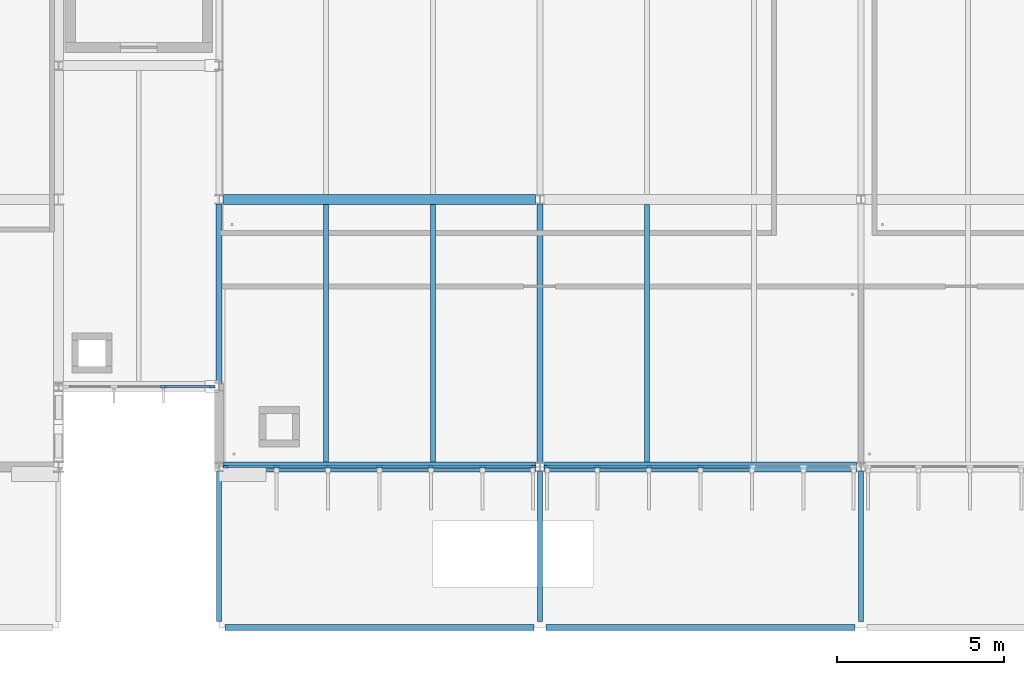
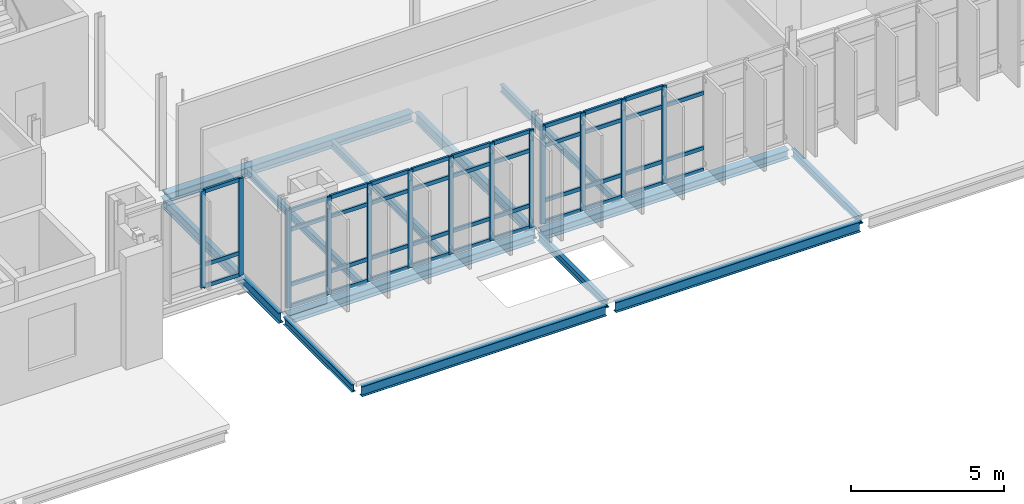
# One storey, part 39 of 107: 55 members, 13 beams, 3 elements without a shape of their own.
"""IFC4 building model written with IfcOpenShell, lengths in metres."""

import ifcopenshell
import ifcopenshell.guid

model = None  # the IFC model being written
_history = None  # IfcOwnerHistory: only IFC2X3 demands one
_inside = {}  # id of a spatial element -> (the spatial element, [elements in it])
_under = {}  # id of a project, library or spatial element -> (it, [spatial elements below it])
_declared = {}  # id of a project -> (the project, [libraries it declares])
_typed = {}  # id of a type object -> (the type object, [elements of that type])
_made_of = {}  # id of a material, layer set ... -> (it, [elements and type objects made of it])


def new_model(schema):
    """Start an empty IFC model of exactly this schema.

    Asked for "IFC4X3", IfcOpenShell would pick the latest addendum, in which some entities
    have other attributes; the version numbers below select the first issue.
    IFC2X3 requires an IfcOwnerHistory on every rooted entity: one is made here for all.
    """
    global model, _history
    if schema == "IFC4X3":
        model = ifcopenshell.file(schema_version=(4, 3, 0, 0))
    else:
        model = ifcopenshell.file(schema=schema)
    _inside.clear()
    _under.clear()
    _declared.clear()
    _typed.clear()
    _made_of.clear()
    _history = None
    if model.schema == "IFC2X3":
        org = make("IfcOrganization", Name="unknown")
        user = make(
            "IfcPersonAndOrganization",
            ThePerson=make("IfcPerson", FamilyName="unknown"),
            TheOrganization=org,
        )
        app = make(
            "IfcApplication",
            ApplicationDeveloper=org,
            Version="unknown",
            ApplicationFullName="unknown",
            ApplicationIdentifier="unknown",
        )
        _history = make(
            "IfcOwnerHistory",
            OwningUser=user,
            OwningApplication=app,
            ChangeAction="ADDED",
            CreationDate=0,
        )
    return model


def make(cls, **values):
    """One entity of the class cls with the attributes given. An attribute that is None is left unset."""
    return model.create_entity(
        cls, **{name: value for name, value in values.items() if value is not None}
    )


def rooted(cls, **values):
    """An entity with a GlobalId (a new one), such as an element, a storey or a relation."""
    return make(cls, GlobalId=ifcopenshell.guid.new(), OwnerHistory=_history, **values)


def si_unit(unit_type, name, prefix=None):
    """IfcSIUnit, for example si_unit("LENGTHUNIT", "METRE", prefix="MILLI")."""
    return make("IfcSIUnit", UnitType=unit_type, Prefix=prefix, Name=name)


def assignment(units):
    """IfcUnitAssignment: the units of a project."""
    return None if units is None else make("IfcUnitAssignment", Units=units)


def point(xyz):
    """IfcCartesianPoint."""
    return None if xyz is None else make("IfcCartesianPoint", Coordinates=xyz)


def direction(xyz):
    """IfcDirection."""
    return None if xyz is None else make("IfcDirection", DirectionRatios=xyz)


def frame(location, z_axis=None, x_axis=None):
    """IfcAxis2Placement3D, a coordinate frame: its origin and axes. An axis left out is left unset."""
    return make(
        "IfcAxis2Placement3D",
        Location=point(location),
        Axis=direction(z_axis),
        RefDirection=direction(x_axis),
    )


def frame_2d(location, x_axis=None):
    """IfcAxis2Placement2D, a coordinate frame in the plane: its origin and x axis."""
    return make(
        "IfcAxis2Placement2D", Location=point(location), RefDirection=direction(x_axis)
    )


def origin():
    """The frame at (0, 0, 0) with its axes left unset."""
    return frame((0.0, 0.0, 0.0))


def origin_2d():
    """The frame at (0, 0) in the plane with its x axis left unset."""
    return frame_2d((0.0, 0.0))


def place(relative_to, where):
    """IfcLocalPlacement: puts the frame where relative to a parent placement (None: the world)."""
    return make(
        "IfcLocalPlacement", PlacementRelTo=relative_to, RelativePlacement=where
    )


def context(
    kind, dimensions, precision=None, world=None, true_north=None, identifier=None
):
    """IfcGeometricRepresentationContext, for example the 3D "Model" context."""
    return make(
        "IfcGeometricRepresentationContext",
        ContextIdentifier=identifier,
        ContextType=kind,
        CoordinateSpaceDimension=dimensions,
        Precision=precision,
        WorldCoordinateSystem=world,
        TrueNorth=true_north,
    )


def subcontext(parent, identifier, kind, view, scale=None):
    """IfcGeometricRepresentationSubContext, for example "Body" below "Model"."""
    return make(
        "IfcGeometricRepresentationSubContext",
        ContextIdentifier=identifier,
        ContextType=kind,
        ParentContext=parent,
        TargetScale=scale,
        TargetView=view,
    )


def project(units=None, contexts=None):
    """IfcProject with its units and contexts."""
    return rooted(
        "IfcProject",
        Name="project",
        RepresentationContexts=contexts,
        UnitsInContext=assignment(units),
    )


def spatial(cls, under=None, at=None, **own):
    """A site, building, storey or space (cls), placed at a placement, below another one or the project."""
    s = rooted(cls, ObjectPlacement=at, **own)
    if under is not None:
        _under.setdefault(under.id(), (under, []))[1].append(s)
    return s


def profile(cls, at=None, kind="AREA", **sizes):
    """A parametric profile (cls). Its sizes go by their IFC names, for example OverallWidth=200.0."""
    return make(cls, ProfileType=kind, Position=at, **sizes)


def rectangle(**sizes):
    """IfcRectangleProfileDef."""
    return profile("IfcRectangleProfileDef", **sizes)


def i_section(**sizes):
    """IfcIShapeProfileDef."""
    return profile("IfcIShapeProfileDef", **sizes)


def extrude(swept, where, along, depth):
    """IfcExtrudedAreaSolid: the profile swept, set in the frame where, extruded along a direction by depth."""
    return make(
        "IfcExtrudedAreaSolid",
        SweptArea=swept,
        Position=where,
        ExtrudedDirection=direction(along),
        Depth=depth,
    )


def shape(context_of_items, identifier, shape_type, items):
    """IfcShapeRepresentation: the items that make up one representation, for example the "Body"."""
    return make(
        "IfcShapeRepresentation",
        ContextOfItems=context_of_items,
        RepresentationIdentifier=identifier,
        RepresentationType=shape_type,
        Items=items,
    )


def material(Name=None, Category=None):
    """IfcMaterial."""
    return make("IfcMaterial", Name=Name, Category=Category)


def material_profile(
    of_material, cross_section, Name=None, Category=None, Priority=None
):
    """IfcMaterialProfile: a cross section and its material."""
    return make(
        "IfcMaterialProfile",
        Name=Name,
        Material=of_material,
        Profile=cross_section,
        Priority=Priority,
        Category=Category,
    )


def profile_set(profiles, Name=None, composite=None):
    """IfcMaterialProfileSet."""
    return make(
        "IfcMaterialProfileSet",
        Name=Name,
        MaterialProfiles=profiles,
        CompositeProfile=composite,
    )


def made_of(thing, what):
    """Note that an element or type object is made of a material, layer set ...; save() writes the relation."""
    if what is not None:
        _made_of.setdefault(what.id(), (what, []))[1].append(thing)
    return thing


def type_object(cls, material=None, **own):
    """A type object (cls), such as IfcWallType, which elements share."""
    return made_of(rooted(cls, **own), material)


def element(
    cls,
    number,
    at=None,
    inside=None,
    cuts=None,
    type_object=None,
    material=None,
    context=None,
    identifier="Body",
    shape_type=None,
    held_by="IfcProductDefinitionShape",
    body=None,
    shapes=None,
    **own,
):
    """One element of the class cls, such as IfcWall. Its Tag is "e" and its number.

    at: its placement. inside: the storey or other place that contains it. cuts: it is an
    opening in that element (IfcRelVoidsElement). A single representation is given by context,
    identifier, shape_type and body (its items); several are given by shapes. held_by: the class
    of the entity that holds the representations. save() writes the other relations.
    """
    e = rooted(cls, Tag="e%d" % number, ObjectPlacement=at, **own)
    if body is not None:
        shapes = [shape(context, identifier, shape_type, body)]
    if shapes is not None:
        e.Representation = make(held_by, Representations=shapes)
    if inside is not None:
        _inside.setdefault(inside.id(), (inside, []))[1].append(e)
    if cuts is not None:
        rooted(
            "IfcRelVoidsElement", RelatingBuildingElement=cuts, RelatedOpeningElement=e
        )
    if type_object is not None:
        _typed.setdefault(type_object.id(), (type_object, []))[1].append(e)
    return made_of(e, material)


def aggregate(whole, parts):
    """IfcRelAggregates: a whole, such as a stair, and the parts it consists of."""
    return rooted("IfcRelAggregates", RelatingObject=whole, RelatedObjects=parts)


def save(model, path):
    """Write the relations noted so far, then the file.

    IfcRelAggregates (storeys below a building ...), IfcRelContainedInSpatialStructure (elements
    in a storey), IfcRelDefinesByType, IfcRelAssociatesMaterial and IfcRelDeclares: one each for
    every whole, place, type object, material and project.
    """
    for whole, parts in _under.values():
        aggregate(whole, parts)
    for where, things in _inside.values():
        rooted(
            "IfcRelContainedInSpatialStructure",
            RelatedElements=things,
            RelatingStructure=where,
        )
    for kind, things in _typed.values():
        rooted("IfcRelDefinesByType", RelatedObjects=things, RelatingType=kind)
    for what, things in _made_of.values():
        rooted("IfcRelAssociatesMaterial", RelatedObjects=things, RelatingMaterial=what)
    for by, libraries in _declared.values():
        rooted("IfcRelDeclares", RelatingContext=by, RelatedDefinitions=libraries)
    model.write(path)


model = new_model("IFC4")

# Units and contexts
model_context = context("Model", 3, precision=1e-05, world=origin(), true_north=direction((0.0, 1.0)))
body_context = subcontext(model_context, "Body", "Model", "MODEL_VIEW")
ifc_project = project(units=[si_unit("LENGTHUNIT", "METRE"), si_unit("AREAUNIT", "SQUARE_METRE"), si_unit("VOLUMEUNIT", "CUBIC_METRE"), si_unit("PLANEANGLEUNIT", "RADIAN"), si_unit("MASSUNIT", "GRAM", prefix="KILO")], contexts=[model_context])

# Site, building, storey
site_placement = place(None, origin())
site = spatial("IfcSite", under=ifc_project, at=site_placement, CompositionType="ELEMENT")
building_placement = place(site_placement, origin())
building = spatial("IfcBuilding", under=site, at=building_placement, Name="Dunescarp Central Library", CompositionType="ELEMENT")
storey_placement = place(building_placement, frame((0.0, 0.0, 5.10009765625)))
storey = spatial("IfcBuildingStorey", under=building, at=storey_placement, Name="L01", CompositionType="ELEMENT", Elevation=5.10009765625)

# Curtain wall, members
ifc_material_1 = material(Name="Marine-grade anodised aluminium 6063-T6", Category="aluminium")
curtain_wall_type_1 = type_object("IfcCurtainWallType", Name="ARC-CW-STICK", PredefinedType="NOTDEFINED", material=ifc_material_1)
curtain_wall_1_placement = place(storey_placement, origin())
curtain_wall_1 = element("IfcCurtainWall", 1, at=curtain_wall_1_placement, inside=storey, type_object=curtain_wall_type_1, Name="L01 curtain wall CW-V5-153", PredefinedType="NOTDEFINED")
ifc_material_profile_1 = material_profile(ifc_material_1, rectangle(XDim=0.080078125, YDim=0.179931640625, at=origin_2d()), Name="AL 80x180")
ifc_profile_set_1 = profile_set([ifc_material_profile_1], Name="Marine-grade anodised aluminium 6063-T6")
member_type_1 = type_object("IfcMemberType", Name="ARC-CWM-180", PredefinedType="MULLION", material=ifc_profile_set_1)
member_1_placement = place(storey_placement, frame((138.985107421875, 4.800048828125, 0.0), z_axis=(0.0, 0.0, 1.0), x_axis=(0.0, -1.0, 0.0)))
member_1 = element("IfcMember", 2, at=member_1_placement, type_object=member_type_1, Name="CW-V5-153 mullion 1", PredefinedType="MULLION", context=body_context, shape_type="SweptSolid", body=[
    extrude(rectangle(XDim=0.080078125, YDim=0.179931640625, at=origin_2d()), origin(), (0.0, 0.0, 1.0), 3.909912109375),
])
member_2_placement = place(storey_placement, frame((137.4833984375, 4.800048828125, 0.0), z_axis=(0.0, 0.0, 1.0), x_axis=(0.0, -1.0, 0.0)))
member_2 = element("IfcMember", 3, at=member_2_placement, type_object=member_type_1, Name="CW-V5-153 mullion 2", PredefinedType="MULLION", context=body_context, shape_type="SweptSolid", body=[
    extrude(rectangle(XDim=0.080078125, YDim=0.179931640625, at=origin_2d()), origin(), (0.0, 0.0, 1.0), 3.909912109375),
])
member_3_placement = place(storey_placement, frame((135.941650390625, 4.800048828125, 0.0), z_axis=(0.0, 0.0, 1.0), x_axis=(0.0, -1.0, 0.0)))
member_3 = element("IfcMember", 4, at=member_3_placement, type_object=member_type_1, Name="CW-V5-153 mullion 3", PredefinedType="MULLION", context=body_context, shape_type="SweptSolid", body=[
    extrude(rectangle(XDim=0.080078125, YDim=0.179931640625, at=origin_2d()), origin(), (0.0, 0.0, 1.0), 3.909912109375),
])
member_4_placement = place(storey_placement, frame((134.39990234375, 4.800048828125, 0.0), z_axis=(0.0, 0.0, 1.0), x_axis=(0.0, -1.0, 0.0)))
member_4 = element("IfcMember", 5, at=member_4_placement, type_object=member_type_1, Name="CW-V5-153 mullion 4", PredefinedType="MULLION", context=body_context, shape_type="SweptSolid", body=[
    extrude(rectangle(XDim=0.080078125, YDim=0.179931640625, at=origin_2d()), origin(), (0.0, 0.0, 1.0), 3.909912109375),
])
member_5_placement = place(storey_placement, frame((132.8583984375, 4.800048828125, 0.0), z_axis=(0.0, 0.0, 1.0), x_axis=(0.0, -1.0, 0.0)))
member_5 = element("IfcMember", 6, at=member_5_placement, type_object=member_type_1, Name="CW-V5-153 mullion 5", PredefinedType="MULLION", context=body_context, shape_type="SweptSolid", body=[
    extrude(rectangle(XDim=0.080078125, YDim=0.179931640625, at=origin_2d()), origin(), (0.0, 0.0, 1.0), 3.909912109375),
])
member_6_placement = place(storey_placement, frame((131.316650390625, 4.800048828125, 0.0), z_axis=(0.0, 0.0, 1.0), x_axis=(0.0, -1.0, 0.0)))
member_6 = element("IfcMember", 7, at=member_6_placement, type_object=member_type_1, Name="CW-V5-153 mullion 6", PredefinedType="MULLION", context=body_context, shape_type="SweptSolid", body=[
    extrude(rectangle(XDim=0.080078125, YDim=0.179931640625, at=origin_2d()), origin(), (0.0, 0.0, 1.0), 3.909912109375),
])
member_7_placement = place(storey_placement, frame((129.81494140625, 4.800048828125, 0.0), z_axis=(0.0, 0.0, 1.0), x_axis=(0.0, -1.0, 0.0)))
member_7 = element("IfcMember", 8, at=member_7_placement, type_object=member_type_1, Name="CW-V5-153 mullion 7", PredefinedType="MULLION", context=body_context, shape_type="SweptSolid", body=[
    extrude(rectangle(XDim=0.080078125, YDim=0.179931640625, at=origin_2d()), origin(), (0.0, 0.0, 1.0), 3.909912109375),
])

curtain_wall_2_placement = place(storey_placement, origin())
curtain_wall_2 = element("IfcCurtainWall", 9, at=curtain_wall_2_placement, inside=storey, type_object=curtain_wall_type_1, Name="L01 curtain wall CW-V5-154", PredefinedType="NOTDEFINED")
member_8_placement = place(storey_placement, frame((144.0, 4.800048828125, 0.0), z_axis=(0.0, 0.0, 1.0), x_axis=(0.0, -1.0, 0.0)))
member_8 = element("IfcMember", 10, at=member_8_placement, type_object=member_type_1, Name="CW-V5-154 mullion 4", PredefinedType="MULLION", context=body_context, shape_type="SweptSolid", body=[
    extrude(rectangle(XDim=0.080078125, YDim=0.179931640625, at=origin_2d()), origin(), (0.0, 0.0, 1.0), 3.909912109375),
])
member_9_placement = place(storey_placement, frame((142.458251953125, 4.800048828125, 0.0), z_axis=(0.0, 0.0, 1.0), x_axis=(0.0, -1.0, 0.0)))
member_9 = element("IfcMember", 11, at=member_9_placement, type_object=member_type_1, Name="CW-V5-154 mullion 5", PredefinedType="MULLION", context=body_context, shape_type="SweptSolid", body=[
    extrude(rectangle(XDim=0.080078125, YDim=0.179931640625, at=origin_2d()), origin(), (0.0, 0.0, 1.0), 3.909912109375),
])
member_10_placement = place(storey_placement, frame((140.916748046875, 4.800048828125, 0.0), z_axis=(0.0, 0.0, 1.0), x_axis=(0.0, -1.0, 0.0)))
member_10 = element("IfcMember", 12, at=member_10_placement, type_object=member_type_1, Name="CW-V5-154 mullion 6", PredefinedType="MULLION", context=body_context, shape_type="SweptSolid", body=[
    extrude(rectangle(XDim=0.080078125, YDim=0.179931640625, at=origin_2d()), origin(), (0.0, 0.0, 1.0), 3.909912109375),
])
member_11_placement = place(storey_placement, frame((139.4150390625, 4.800048828125, 0.0), z_axis=(0.0, 0.0, 1.0), x_axis=(0.0, -1.0, 0.0)))
member_11 = element("IfcMember", 13, at=member_11_placement, type_object=member_type_1, Name="CW-V5-154 mullion 7", PredefinedType="MULLION", context=body_context, shape_type="SweptSolid", body=[
    extrude(rectangle(XDim=0.080078125, YDim=0.179931640625, at=origin_2d()), origin(), (0.0, 0.0, 1.0), 3.909912109375),
])

curtain_wall_type_2 = type_object("IfcCurtainWallType", Name="ARC-CW-LINK", PredefinedType="USERDEFINED", material=ifc_material_1)
curtain_wall_3_placement = place(storey_placement, origin())
curtain_wall_3 = element("IfcCurtainWall", 14, at=curtain_wall_3_placement, inside=storey, type_object=curtain_wall_type_2, Name="L01 curtain wall CW-GL3-S-L01", ObjectType="GLAZED_LINK_WALL", PredefinedType="USERDEFINED")
member_12_placement = place(storey_placement, frame((129.385009765625, 7.199951171875, 0.0), z_axis=(0.0, 0.0, 1.0), x_axis=(0.0, -1.0, 0.0)))
member_12 = element("IfcMember", 15, at=member_12_placement, type_object=member_type_1, Name="CW-GL3-S-L01 mullion 1", PredefinedType="MULLION", context=body_context, shape_type="SweptSolid", body=[
    extrude(rectangle(XDim=0.080078125, YDim=0.179931640625, at=origin_2d()), origin(), (0.0, 0.0, 1.0), 3.875),
])
member_13_placement = place(storey_placement, frame((127.941650390625, 7.199951171875, 0.0), z_axis=(0.0, 0.0, 1.0), x_axis=(0.0, -1.0, 0.0)))
member_13 = element("IfcMember", 16, at=member_13_placement, type_object=member_type_1, Name="CW-GL3-S-L01 mullion 2", PredefinedType="MULLION", context=body_context, shape_type="SweptSolid", body=[
    extrude(rectangle(XDim=0.080078125, YDim=0.179931640625, at=origin_2d()), origin(), (0.0, 0.0, 1.0), 3.875),
])

# Member
ifc_material_profile_2 = material_profile(ifc_material_1, rectangle(XDim=0.080078125, YDim=0.14990234375, at=origin_2d()), Name="AL 80x150")
ifc_profile_set_2 = profile_set([ifc_material_profile_2], Name="Marine-grade anodised aluminium 6063-T6")
member_type_2 = type_object("IfcMemberType", Name="ARC-CWT-150", PredefinedType="USERDEFINED", material=ifc_profile_set_2)
member_14_placement = place(storey_placement, frame((138.945068359375, 4.800048828125, 0.039794921875), z_axis=(-1.0, 0.0, 0.0), x_axis=(0.0, -1.0, 0.0)))
member_14 = element("IfcMember", 17, at=member_14_placement, type_object=member_type_2, Name="CW-V5-153 transom 1.1", ObjectType="TRANSOM", PredefinedType="USERDEFINED", context=body_context, shape_type="SweptSolid", body=[
    extrude(rectangle(XDim=0.080078125, YDim=0.14990234375, at=origin_2d()), origin(), (0.0, 0.0, 1.0), 1.421630859375),
])

member_15_placement = place(storey_placement, frame((138.945068359375, 4.800048828125, 0.89990234375), z_axis=(-1.0, 0.0, 0.0), x_axis=(0.0, -1.0, 0.0)))
member_15 = element("IfcMember", 18, at=member_15_placement, type_object=member_type_2, Name="CW-V5-153 transom 1.2", ObjectType="TRANSOM", PredefinedType="USERDEFINED", context=body_context, shape_type="SweptSolid", body=[
    extrude(rectangle(XDim=0.080078125, YDim=0.14990234375, at=origin_2d()), origin(), (0.0, 0.0, 1.0), 1.421630859375),
])

member_16_placement = place(storey_placement, frame((138.945068359375, 4.800048828125, 3.099853515625), z_axis=(-1.0, 0.0, 0.0), x_axis=(0.0, -1.0, 0.0)))
member_16 = element("IfcMember", 19, at=member_16_placement, type_object=member_type_2, Name="CW-V5-153 transom 1.3", ObjectType="TRANSOM", PredefinedType="USERDEFINED", context=body_context, shape_type="SweptSolid", body=[
    extrude(rectangle(XDim=0.080078125, YDim=0.14990234375, at=origin_2d()), origin(), (0.0, 0.0, 1.0), 1.421630859375),
])

member_17_placement = place(storey_placement, frame((138.945068359375, 4.800048828125, 3.869873046875), z_axis=(-1.0, 0.0, 0.0), x_axis=(0.0, -1.0, 0.0)))
member_17 = element("IfcMember", 20, at=member_17_placement, type_object=member_type_2, Name="CW-V5-153 transom 1.4", ObjectType="TRANSOM", PredefinedType="USERDEFINED", context=body_context, shape_type="SweptSolid", body=[
    extrude(rectangle(XDim=0.080078125, YDim=0.14990234375, at=origin_2d()), origin(), (0.0, 0.0, 1.0), 1.421630859375),
])

member_18_placement = place(storey_placement, frame((137.443359375, 4.800048828125, 0.039794921875), z_axis=(-1.0, 0.0, 0.0), x_axis=(0.0, -1.0, 0.0)))
member_18 = element("IfcMember", 21, at=member_18_placement, type_object=member_type_2, Name="CW-V5-153 transom 2.1", ObjectType="TRANSOM", PredefinedType="USERDEFINED", context=body_context, shape_type="SweptSolid", body=[
    extrude(rectangle(XDim=0.080078125, YDim=0.14990234375, at=origin_2d()), origin(), (0.0, 0.0, 1.0), 1.461669921875),
])

member_19_placement = place(storey_placement, frame((137.443359375, 4.800048828125, 0.89990234375), z_axis=(-1.0, 0.0, 0.0), x_axis=(0.0, -1.0, 0.0)))
member_19 = element("IfcMember", 22, at=member_19_placement, type_object=member_type_2, Name="CW-V5-153 transom 2.2", ObjectType="TRANSOM", PredefinedType="USERDEFINED", context=body_context, shape_type="SweptSolid", body=[
    extrude(rectangle(XDim=0.080078125, YDim=0.14990234375, at=origin_2d()), origin(), (0.0, 0.0, 1.0), 1.461669921875),
])

member_20_placement = place(storey_placement, frame((137.443359375, 4.800048828125, 3.099853515625), z_axis=(-1.0, 0.0, 0.0), x_axis=(0.0, -1.0, 0.0)))
member_20 = element("IfcMember", 23, at=member_20_placement, type_object=member_type_2, Name="CW-V5-153 transom 2.3", ObjectType="TRANSOM", PredefinedType="USERDEFINED", context=body_context, shape_type="SweptSolid", body=[
    extrude(rectangle(XDim=0.080078125, YDim=0.14990234375, at=origin_2d()), origin(), (0.0, 0.0, 1.0), 1.461669921875),
])

member_21_placement = place(storey_placement, frame((137.443359375, 4.800048828125, 3.869873046875), z_axis=(-1.0, 0.0, 0.0), x_axis=(0.0, -1.0, 0.0)))
member_21 = element("IfcMember", 24, at=member_21_placement, type_object=member_type_2, Name="CW-V5-153 transom 2.4", ObjectType="TRANSOM", PredefinedType="USERDEFINED", context=body_context, shape_type="SweptSolid", body=[
    extrude(rectangle(XDim=0.080078125, YDim=0.14990234375, at=origin_2d()), origin(), (0.0, 0.0, 1.0), 1.461669921875),
])

member_22_placement = place(storey_placement, frame((135.901611328125, 4.800048828125, 0.039794921875), z_axis=(-1.0, 0.0, 0.0), x_axis=(0.0, -1.0, 0.0)))
member_22 = element("IfcMember", 25, at=member_22_placement, type_object=member_type_2, Name="CW-V5-153 transom 3.1", ObjectType="TRANSOM", PredefinedType="USERDEFINED", context=body_context, shape_type="SweptSolid", body=[
    extrude(rectangle(XDim=0.080078125, YDim=0.14990234375, at=origin_2d()), origin(), (0.0, 0.0, 1.0), 1.461669921875),
])

member_23_placement = place(storey_placement, frame((135.901611328125, 4.800048828125, 0.89990234375), z_axis=(-1.0, 0.0, 0.0), x_axis=(0.0, -1.0, 0.0)))
member_23 = element("IfcMember", 26, at=member_23_placement, type_object=member_type_2, Name="CW-V5-153 transom 3.2", ObjectType="TRANSOM", PredefinedType="USERDEFINED", context=body_context, shape_type="SweptSolid", body=[
    extrude(rectangle(XDim=0.080078125, YDim=0.14990234375, at=origin_2d()), origin(), (0.0, 0.0, 1.0), 1.461669921875),
])

member_24_placement = place(storey_placement, frame((135.901611328125, 4.800048828125, 3.099853515625), z_axis=(-1.0, 0.0, 0.0), x_axis=(0.0, -1.0, 0.0)))
member_24 = element("IfcMember", 27, at=member_24_placement, type_object=member_type_2, Name="CW-V5-153 transom 3.3", ObjectType="TRANSOM", PredefinedType="USERDEFINED", context=body_context, shape_type="SweptSolid", body=[
    extrude(rectangle(XDim=0.080078125, YDim=0.14990234375, at=origin_2d()), origin(), (0.0, 0.0, 1.0), 1.461669921875),
])

member_25_placement = place(storey_placement, frame((135.901611328125, 4.800048828125, 3.869873046875), z_axis=(-1.0, 0.0, 0.0), x_axis=(0.0, -1.0, 0.0)))
member_25 = element("IfcMember", 28, at=member_25_placement, type_object=member_type_2, Name="CW-V5-153 transom 3.4", ObjectType="TRANSOM", PredefinedType="USERDEFINED", context=body_context, shape_type="SweptSolid", body=[
    extrude(rectangle(XDim=0.080078125, YDim=0.14990234375, at=origin_2d()), origin(), (0.0, 0.0, 1.0), 1.461669921875),
])

member_26_placement = place(storey_placement, frame((134.360107421875, 4.800048828125, 0.039794921875), z_axis=(-1.0, 0.0, 0.0), x_axis=(0.0, -1.0, 0.0)))
member_26 = element("IfcMember", 29, at=member_26_placement, type_object=member_type_2, Name="CW-V5-153 transom 4.1", ObjectType="TRANSOM", PredefinedType="USERDEFINED", context=body_context, shape_type="SweptSolid", body=[
    extrude(rectangle(XDim=0.080078125, YDim=0.14990234375, at=origin_2d()), origin(), (0.0, 0.0, 1.0), 1.461669921875),
])

member_27_placement = place(storey_placement, frame((134.360107421875, 4.800048828125, 0.89990234375), z_axis=(-1.0, 0.0, 0.0), x_axis=(0.0, -1.0, 0.0)))
member_27 = element("IfcMember", 30, at=member_27_placement, type_object=member_type_2, Name="CW-V5-153 transom 4.2", ObjectType="TRANSOM", PredefinedType="USERDEFINED", context=body_context, shape_type="SweptSolid", body=[
    extrude(rectangle(XDim=0.080078125, YDim=0.14990234375, at=origin_2d()), origin(), (0.0, 0.0, 1.0), 1.461669921875),
])

member_28_placement = place(storey_placement, frame((134.360107421875, 4.800048828125, 3.099853515625), z_axis=(-1.0, 0.0, 0.0), x_axis=(0.0, -1.0, 0.0)))
member_28 = element("IfcMember", 31, at=member_28_placement, type_object=member_type_2, Name="CW-V5-153 transom 4.3", ObjectType="TRANSOM", PredefinedType="USERDEFINED", context=body_context, shape_type="SweptSolid", body=[
    extrude(rectangle(XDim=0.080078125, YDim=0.14990234375, at=origin_2d()), origin(), (0.0, 0.0, 1.0), 1.461669921875),
])

member_29_placement = place(storey_placement, frame((134.360107421875, 4.800048828125, 3.869873046875), z_axis=(-1.0, 0.0, 0.0), x_axis=(0.0, -1.0, 0.0)))
member_29 = element("IfcMember", 32, at=member_29_placement, type_object=member_type_2, Name="CW-V5-153 transom 4.4", ObjectType="TRANSOM", PredefinedType="USERDEFINED", context=body_context, shape_type="SweptSolid", body=[
    extrude(rectangle(XDim=0.080078125, YDim=0.14990234375, at=origin_2d()), origin(), (0.0, 0.0, 1.0), 1.461669921875),
])

member_30_placement = place(storey_placement, frame((132.818359375, 4.800048828125, 0.039794921875), z_axis=(-1.0, 0.0, 0.0), x_axis=(0.0, -1.0, 0.0)))
member_30 = element("IfcMember", 33, at=member_30_placement, type_object=member_type_2, Name="CW-V5-153 transom 5.1", ObjectType="TRANSOM", PredefinedType="USERDEFINED", context=body_context, shape_type="SweptSolid", body=[
    extrude(rectangle(XDim=0.080078125, YDim=0.14990234375, at=origin_2d()), origin(), (0.0, 0.0, 1.0), 1.461669921875),
])

member_31_placement = place(storey_placement, frame((132.818359375, 4.800048828125, 0.89990234375), z_axis=(-1.0, 0.0, 0.0), x_axis=(0.0, -1.0, 0.0)))
member_31 = element("IfcMember", 34, at=member_31_placement, type_object=member_type_2, Name="CW-V5-153 transom 5.2", ObjectType="TRANSOM", PredefinedType="USERDEFINED", context=body_context, shape_type="SweptSolid", body=[
    extrude(rectangle(XDim=0.080078125, YDim=0.14990234375, at=origin_2d()), origin(), (0.0, 0.0, 1.0), 1.461669921875),
])

member_32_placement = place(storey_placement, frame((132.818359375, 4.800048828125, 3.099853515625), z_axis=(-1.0, 0.0, 0.0), x_axis=(0.0, -1.0, 0.0)))
member_32 = element("IfcMember", 35, at=member_32_placement, type_object=member_type_2, Name="CW-V5-153 transom 5.3", ObjectType="TRANSOM", PredefinedType="USERDEFINED", context=body_context, shape_type="SweptSolid", body=[
    extrude(rectangle(XDim=0.080078125, YDim=0.14990234375, at=origin_2d()), origin(), (0.0, 0.0, 1.0), 1.461669921875),
])

member_33_placement = place(storey_placement, frame((132.818359375, 4.800048828125, 3.869873046875), z_axis=(-1.0, 0.0, 0.0), x_axis=(0.0, -1.0, 0.0)))
member_33 = element("IfcMember", 36, at=member_33_placement, type_object=member_type_2, Name="CW-V5-153 transom 5.4", ObjectType="TRANSOM", PredefinedType="USERDEFINED", context=body_context, shape_type="SweptSolid", body=[
    extrude(rectangle(XDim=0.080078125, YDim=0.14990234375, at=origin_2d()), origin(), (0.0, 0.0, 1.0), 1.461669921875),
])

member_34_placement = place(storey_placement, frame((131.276611328125, 4.800048828125, 0.039794921875), z_axis=(-1.0, 0.0, 0.0), x_axis=(0.0, -1.0, 0.0)))
member_34 = element("IfcMember", 37, at=member_34_placement, type_object=member_type_2, Name="CW-V5-153 transom 6.1", ObjectType="TRANSOM", PredefinedType="USERDEFINED", context=body_context, shape_type="SweptSolid", body=[
    extrude(rectangle(XDim=0.080078125, YDim=0.14990234375, at=origin_2d()), origin(), (0.0, 0.0, 1.0), 1.421630859375),
])

member_35_placement = place(storey_placement, frame((131.276611328125, 4.800048828125, 0.89990234375), z_axis=(-1.0, 0.0, 0.0), x_axis=(0.0, -1.0, 0.0)))
member_35 = element("IfcMember", 38, at=member_35_placement, type_object=member_type_2, Name="CW-V5-153 transom 6.2", ObjectType="TRANSOM", PredefinedType="USERDEFINED", context=body_context, shape_type="SweptSolid", body=[
    extrude(rectangle(XDim=0.080078125, YDim=0.14990234375, at=origin_2d()), origin(), (0.0, 0.0, 1.0), 1.421630859375),
])

member_36_placement = place(storey_placement, frame((131.276611328125, 4.800048828125, 3.099853515625), z_axis=(-1.0, 0.0, 0.0), x_axis=(0.0, -1.0, 0.0)))
member_36 = element("IfcMember", 39, at=member_36_placement, type_object=member_type_2, Name="CW-V5-153 transom 6.3", ObjectType="TRANSOM", PredefinedType="USERDEFINED", context=body_context, shape_type="SweptSolid", body=[
    extrude(rectangle(XDim=0.080078125, YDim=0.14990234375, at=origin_2d()), origin(), (0.0, 0.0, 1.0), 1.421630859375),
])

member_37_placement = place(storey_placement, frame((131.276611328125, 4.800048828125, 3.869873046875), z_axis=(-1.0, 0.0, 0.0), x_axis=(0.0, -1.0, 0.0)))
member_37 = element("IfcMember", 40, at=member_37_placement, type_object=member_type_2, Name="CW-V5-153 transom 6.4", ObjectType="TRANSOM", PredefinedType="USERDEFINED", context=body_context, shape_type="SweptSolid", body=[
    extrude(rectangle(XDim=0.080078125, YDim=0.14990234375, at=origin_2d()), origin(), (0.0, 0.0, 1.0), 1.421630859375),
])

aggregate(curtain_wall_1, [member_1, member_2, member_3, member_4, member_5, member_6, member_7, member_14, member_15, member_16, member_17, member_18, member_19, member_20, member_21, member_22, member_23, member_24, member_25, member_26, member_27, member_28, member_29, member_30, member_31, member_32, member_33, member_34, member_35, member_36, member_37])

member_38_placement = place(storey_placement, frame((145.501708984375, 4.800048828125, 0.039794921875), z_axis=(-1.0, 0.0, 0.0), x_axis=(0.0, -1.0, 0.0)))
member_38 = element("IfcMember", 41, at=member_38_placement, type_object=member_type_2, Name="CW-V5-154 transom 3.1", ObjectType="TRANSOM", PredefinedType="USERDEFINED", context=body_context, shape_type="SweptSolid", body=[
    extrude(rectangle(XDim=0.080078125, YDim=0.14990234375, at=origin_2d()), origin(), (0.0, 0.0, 1.0), 1.461669921875),
])

member_39_placement = place(storey_placement, frame((145.501708984375, 4.800048828125, 0.89990234375), z_axis=(-1.0, 0.0, 0.0), x_axis=(0.0, -1.0, 0.0)))
member_39 = element("IfcMember", 42, at=member_39_placement, type_object=member_type_2, Name="CW-V5-154 transom 3.2", ObjectType="TRANSOM", PredefinedType="USERDEFINED", context=body_context, shape_type="SweptSolid", body=[
    extrude(rectangle(XDim=0.080078125, YDim=0.14990234375, at=origin_2d()), origin(), (0.0, 0.0, 1.0), 1.461669921875),
])

member_40_placement = place(storey_placement, frame((145.501708984375, 4.800048828125, 3.099853515625), z_axis=(-1.0, 0.0, 0.0), x_axis=(0.0, -1.0, 0.0)))
member_40 = element("IfcMember", 43, at=member_40_placement, type_object=member_type_2, Name="CW-V5-154 transom 3.3", ObjectType="TRANSOM", PredefinedType="USERDEFINED", context=body_context, shape_type="SweptSolid", body=[
    extrude(rectangle(XDim=0.080078125, YDim=0.14990234375, at=origin_2d()), origin(), (0.0, 0.0, 1.0), 1.461669921875),
])

member_41_placement = place(storey_placement, frame((143.9599609375, 4.800048828125, 0.039794921875), z_axis=(-1.0, 0.0, 0.0), x_axis=(0.0, -1.0, 0.0)))
member_41 = element("IfcMember", 44, at=member_41_placement, type_object=member_type_2, Name="CW-V5-154 transom 4.1", ObjectType="TRANSOM", PredefinedType="USERDEFINED", context=body_context, shape_type="SweptSolid", body=[
    extrude(rectangle(XDim=0.080078125, YDim=0.14990234375, at=origin_2d()), origin(), (0.0, 0.0, 1.0), 1.461669921875),
])

member_42_placement = place(storey_placement, frame((143.9599609375, 4.800048828125, 0.89990234375), z_axis=(-1.0, 0.0, 0.0), x_axis=(0.0, -1.0, 0.0)))
member_42 = element("IfcMember", 45, at=member_42_placement, type_object=member_type_2, Name="CW-V5-154 transom 4.2", ObjectType="TRANSOM", PredefinedType="USERDEFINED", context=body_context, shape_type="SweptSolid", body=[
    extrude(rectangle(XDim=0.080078125, YDim=0.14990234375, at=origin_2d()), origin(), (0.0, 0.0, 1.0), 1.461669921875),
])

member_43_placement = place(storey_placement, frame((143.9599609375, 4.800048828125, 3.099853515625), z_axis=(-1.0, 0.0, 0.0), x_axis=(0.0, -1.0, 0.0)))
member_43 = element("IfcMember", 46, at=member_43_placement, type_object=member_type_2, Name="CW-V5-154 transom 4.3", ObjectType="TRANSOM", PredefinedType="USERDEFINED", context=body_context, shape_type="SweptSolid", body=[
    extrude(rectangle(XDim=0.080078125, YDim=0.14990234375, at=origin_2d()), origin(), (0.0, 0.0, 1.0), 1.461669921875),
])

member_44_placement = place(storey_placement, frame((143.9599609375, 4.800048828125, 3.869873046875), z_axis=(-1.0, 0.0, 0.0), x_axis=(0.0, -1.0, 0.0)))
member_44 = element("IfcMember", 47, at=member_44_placement, type_object=member_type_2, Name="CW-V5-154 transom 4.4", ObjectType="TRANSOM", PredefinedType="USERDEFINED", context=body_context, shape_type="SweptSolid", body=[
    extrude(rectangle(XDim=0.080078125, YDim=0.14990234375, at=origin_2d()), origin(), (0.0, 0.0, 1.0), 1.461669921875),
])

member_45_placement = place(storey_placement, frame((142.418212890625, 4.800048828125, 0.039794921875), z_axis=(-1.0, 0.0, 0.0), x_axis=(0.0, -1.0, 0.0)))
member_45 = element("IfcMember", 48, at=member_45_placement, type_object=member_type_2, Name="CW-V5-154 transom 5.1", ObjectType="TRANSOM", PredefinedType="USERDEFINED", context=body_context, shape_type="SweptSolid", body=[
    extrude(rectangle(XDim=0.080078125, YDim=0.14990234375, at=origin_2d()), origin(), (0.0, 0.0, 1.0), 1.46142578125),
])

member_46_placement = place(storey_placement, frame((142.418212890625, 4.800048828125, 0.89990234375), z_axis=(-1.0, 0.0, 0.0), x_axis=(0.0, -1.0, 0.0)))
member_46 = element("IfcMember", 49, at=member_46_placement, type_object=member_type_2, Name="CW-V5-154 transom 5.2", ObjectType="TRANSOM", PredefinedType="USERDEFINED", context=body_context, shape_type="SweptSolid", body=[
    extrude(rectangle(XDim=0.080078125, YDim=0.14990234375, at=origin_2d()), origin(), (0.0, 0.0, 1.0), 1.46142578125),
])

member_47_placement = place(storey_placement, frame((142.418212890625, 4.800048828125, 3.099853515625), z_axis=(-1.0, 0.0, 0.0), x_axis=(0.0, -1.0, 0.0)))
member_47 = element("IfcMember", 50, at=member_47_placement, type_object=member_type_2, Name="CW-V5-154 transom 5.3", ObjectType="TRANSOM", PredefinedType="USERDEFINED", context=body_context, shape_type="SweptSolid", body=[
    extrude(rectangle(XDim=0.080078125, YDim=0.14990234375, at=origin_2d()), origin(), (0.0, 0.0, 1.0), 1.46142578125),
])

member_48_placement = place(storey_placement, frame((142.418212890625, 4.800048828125, 3.869873046875), z_axis=(-1.0, 0.0, 0.0), x_axis=(0.0, -1.0, 0.0)))
member_48 = element("IfcMember", 51, at=member_48_placement, type_object=member_type_2, Name="CW-V5-154 transom 5.4", ObjectType="TRANSOM", PredefinedType="USERDEFINED", context=body_context, shape_type="SweptSolid", body=[
    extrude(rectangle(XDim=0.080078125, YDim=0.14990234375, at=origin_2d()), origin(), (0.0, 0.0, 1.0), 1.46142578125),
])

member_49_placement = place(storey_placement, frame((140.876708984375, 4.800048828125, 0.039794921875), z_axis=(-1.0, 0.0, 0.0), x_axis=(0.0, -1.0, 0.0)))
member_49 = element("IfcMember", 52, at=member_49_placement, type_object=member_type_2, Name="CW-V5-154 transom 6.1", ObjectType="TRANSOM", PredefinedType="USERDEFINED", context=body_context, shape_type="SweptSolid", body=[
    extrude(rectangle(XDim=0.080078125, YDim=0.14990234375, at=origin_2d()), origin(), (0.0, 0.0, 1.0), 1.421630859375),
])

member_50_placement = place(storey_placement, frame((140.876708984375, 4.800048828125, 0.89990234375), z_axis=(-1.0, 0.0, 0.0), x_axis=(0.0, -1.0, 0.0)))
member_50 = element("IfcMember", 53, at=member_50_placement, type_object=member_type_2, Name="CW-V5-154 transom 6.2", ObjectType="TRANSOM", PredefinedType="USERDEFINED", context=body_context, shape_type="SweptSolid", body=[
    extrude(rectangle(XDim=0.080078125, YDim=0.14990234375, at=origin_2d()), origin(), (0.0, 0.0, 1.0), 1.421630859375),
])

member_51_placement = place(storey_placement, frame((140.876708984375, 4.800048828125, 3.099853515625), z_axis=(-1.0, 0.0, 0.0), x_axis=(0.0, -1.0, 0.0)))
member_51 = element("IfcMember", 54, at=member_51_placement, type_object=member_type_2, Name="CW-V5-154 transom 6.3", ObjectType="TRANSOM", PredefinedType="USERDEFINED", context=body_context, shape_type="SweptSolid", body=[
    extrude(rectangle(XDim=0.080078125, YDim=0.14990234375, at=origin_2d()), origin(), (0.0, 0.0, 1.0), 1.421630859375),
])

member_52_placement = place(storey_placement, frame((140.876708984375, 4.800048828125, 3.869873046875), z_axis=(-1.0, 0.0, 0.0), x_axis=(0.0, -1.0, 0.0)))
member_52 = element("IfcMember", 55, at=member_52_placement, type_object=member_type_2, Name="CW-V5-154 transom 6.4", ObjectType="TRANSOM", PredefinedType="USERDEFINED", context=body_context, shape_type="SweptSolid", body=[
    extrude(rectangle(XDim=0.080078125, YDim=0.14990234375, at=origin_2d()), origin(), (0.0, 0.0, 1.0), 1.421630859375),
])

aggregate(curtain_wall_2, [member_8, member_9, member_10, member_11, member_38, member_39, member_40, member_41, member_42, member_43, member_44, member_45, member_46, member_47, member_48, member_49, member_50, member_51, member_52])

member_53_placement = place(storey_placement, frame((129.344970703125, 7.199951171875, 0.039794921875), z_axis=(-1.0, 0.0, 0.0), x_axis=(0.0, -1.0, 0.0)))
member_53 = element("IfcMember", 56, at=member_53_placement, type_object=member_type_2, Name="CW-GL3-S-L01 transom 1.1", ObjectType="TRANSOM", PredefinedType="USERDEFINED", context=body_context, shape_type="SweptSolid", body=[
    extrude(rectangle(XDim=0.080078125, YDim=0.14990234375, at=origin_2d()), origin(), (0.0, 0.0, 1.0), 1.36328125),
])

member_54_placement = place(storey_placement, frame((129.344970703125, 7.199951171875, 0.89990234375), z_axis=(-1.0, 0.0, 0.0), x_axis=(0.0, -1.0, 0.0)))
member_54 = element("IfcMember", 57, at=member_54_placement, type_object=member_type_2, Name="CW-GL3-S-L01 transom 1.2", ObjectType="TRANSOM", PredefinedType="USERDEFINED", context=body_context, shape_type="SweptSolid", body=[
    extrude(rectangle(XDim=0.080078125, YDim=0.14990234375, at=origin_2d()), origin(), (0.0, 0.0, 1.0), 1.36328125),
])

member_55_placement = place(storey_placement, frame((129.344970703125, 7.199951171875, 3.8349609375), z_axis=(-1.0, 0.0, 0.0), x_axis=(0.0, -1.0, 0.0)))
member_55 = element("IfcMember", 58, at=member_55_placement, type_object=member_type_2, Name="CW-GL3-S-L01 transom 1.3", ObjectType="TRANSOM", PredefinedType="USERDEFINED", context=body_context, shape_type="SweptSolid", body=[
    extrude(rectangle(XDim=0.080078125, YDim=0.14990234375, at=origin_2d()), origin(), (0.0, 0.0, 1.0), 1.36328125),
])

aggregate(curtain_wall_3, [member_12, member_13, member_53, member_54, member_55])

# Beams
ifc_material_2 = material(Name="Steel S355JR", Category="steel")
ifc_material_profile_3 = material_profile(ifc_material_2, i_section(OverallWidth=0.300048828125, OverallDepth=0.35009765625, WebThickness=0.010009765625, FlangeThickness=0.017578125, at=origin_2d()), Name="HEA 360")
ifc_profile_set_3 = profile_set([ifc_material_profile_3], Name="Steel S355JR")
beam_type_1 = type_object("IfcBeamType", Name="STR-BM-IPE400", PredefinedType="BEAM", material=ifc_profile_set_3)
for number, where, z_axis, x_axis, name in (
    (59, (129.72802734375, 4.800048828125, -0.39501953125), (1.0, 0.0, 0.0), (0.0, 1.0, 0.0), "L01 girder BM-L01-1071"),
    (60, (129.72802734375, 12.800048828125, -0.39501953125), (1.0, 0.0, 0.0), (0.0, 1.0, 0.0), "L01 girder BM-L01-1072"),
):
    element("IfcBeam", number, at=place(storey_placement, frame(where, z_axis=z_axis, x_axis=x_axis)), inside=storey, type_object=beam_type_1, Name=name, PredefinedType="BEAM", context=body_context, shape_type="SweptSolid", body=[
        extrude(i_section(OverallWidth=0.300048828125, OverallDepth=0.35009765625, WebThickness=0.010009765625, FlangeThickness=0.017578125, at=origin_2d()), origin(), (0.0, 0.0, 1.0), 9.343994140625),
    ])
beam_placement = place(storey_placement, frame((139.327880859375, 4.800048828125, -0.39501953125), z_axis=(1.0, 0.0, 0.0), x_axis=(0.0, 1.0, 0.0)))
element("IfcBeam", 61, at=beam_placement, inside=storey, type_object=beam_type_1, Name="L01 girder BM-L01-1092", PredefinedType="BEAM", context=body_context, shape_type="SweptSolid", body=[
    extrude(i_section(OverallWidth=0.300048828125, OverallDepth=0.35009765625, WebThickness=0.010009765625, FlangeThickness=0.017578125, at=origin_2d()), origin(), (0.0, 0.0, 1.0), 9.34423828125),
])
ifc_material_profile_4 = material_profile(ifc_material_2, i_section(OverallWidth=0.179443359375, OverallDepth=0.412841796875, WebThickness=0.009521484375, FlangeThickness=0.01611328125, at=origin_2d()), Name="UB 406x178x74")
ifc_profile_set_4 = profile_set([ifc_material_profile_4], Name="Steel S355JR")
beam_type_2 = type_object("IfcBeamType", Name="STR-BM-UB406", PredefinedType="BEAM", material=ifc_profile_set_4)
for number, where, z_axis, x_axis, name in (
    (62, (129.60009765625, 4.93505859375, -0.426025390625), (0.0, 1.0, 0.0), (-1.0, 0.0, 0.0), "L01 girder BM-L01-1073"),
    (63, (139.199951171875, 4.93505859375, -0.426025390625), (0.0, 1.0, 0.0), (-1.0, 0.0, 0.0), "L01 girder BM-L01-1074"),
):
    element("IfcBeam", number, at=place(storey_placement, frame(where, z_axis=z_axis, x_axis=x_axis)), inside=storey, type_object=beam_type_2, Name=name, PredefinedType="BEAM", context=body_context, shape_type="SweptSolid", body=[
        extrude(i_section(OverallWidth=0.179443359375, OverallDepth=0.412841796875, WebThickness=0.009521484375, FlangeThickness=0.01611328125, at=origin_2d()), origin(), (0.0, 0.0, 1.0), 7.72998046875),
    ])
ifc_material_profile_5 = material_profile(ifc_material_2, i_section(OverallWidth=0.14990234375, OverallDepth=0.300048828125, WebThickness=0.007080078125, FlangeThickness=0.0107421875, at=origin_2d()), Name="IPE 300")
ifc_profile_set_5 = profile_set([ifc_material_profile_5], Name="Steel S355JR")
beam_type_3 = type_object("IfcBeamType", Name="STR-JS-IPE300", PredefinedType="JOIST", material=ifc_profile_set_5)
for number, where, z_axis, x_axis, name in (
    (64, (132.800048828125, 4.947998046875, -0.3701171875), (0.0, 1.0, 0.0), (-1.0, 0.0, 0.0), "L01 joist JS-L01-1075"),
    (65, (136.0, 4.947998046875, -0.3701171875), (0.0, 1.0, 0.0), (-1.0, 0.0, 0.0), "L01 joist JS-L01-1076"),
    (66, (142.39990234375, 4.947998046875, -0.3701171875), (0.0, 1.0, 0.0), (-1.0, 0.0, 0.0), "L01 joist JS-L01-1095"),
):
    element("IfcBeam", number, at=place(storey_placement, frame(where, z_axis=z_axis, x_axis=x_axis)), inside=storey, type_object=beam_type_3, Name=name, PredefinedType="JOIST", context=body_context, shape_type="SweptSolid", body=[
        extrude(i_section(OverallWidth=0.14990234375, OverallDepth=0.300048828125, WebThickness=0.007080078125, FlangeThickness=0.0107421875, at=origin_2d()), origin(), (0.0, 0.0, 1.0), 7.7041015625),
    ])
for number, where, z_axis, x_axis, name in (
    (67, (129.60009765625, 0.175048828125, -0.35009765625), (0.0, 1.0, 0.0), (-1.0, 0.0, 0.0), "Colonnade tie beam BM-L01-1469"),
    (68, (139.199951171875, 0.175048828125, -0.35009765625), (0.0, 1.0, 0.0), (-1.0, 0.0, 0.0), "Colonnade tie beam BM-L01-1470"),
    (69, (148.800048828125, 0.175048828125, -0.35009765625), (0.0, 1.0, 0.0), (-1.0, 0.0, 0.0), "Colonnade tie beam BM-L01-1471"),
):
    element("IfcBeam", number, at=place(storey_placement, frame(where, z_axis=z_axis, x_axis=x_axis)), inside=storey, type_object=beam_type_3, Name=name, PredefinedType="JOIST", context=body_context, shape_type="SweptSolid", body=[
        extrude(i_section(OverallWidth=0.14990234375, OverallDepth=0.300048828125, WebThickness=0.007080078125, FlangeThickness=0.0107421875, at=origin_2d()), origin(), (0.0, 0.0, 1.0), 4.489990234375),
    ])
ifc_material_profile_6 = material_profile(ifc_material_2, i_section(OverallWidth=0.177978515625, OverallDepth=0.406494140625, WebThickness=0.0078125, FlangeThickness=0.0126953125, at=origin_2d()), Name="UB 406x178x60")
ifc_profile_set_6 = profile_set([ifc_material_profile_6], Name="Steel S355JR")
beam_type_4 = type_object("IfcBeamType", Name="STR-SP-UB406", PredefinedType="SPANDREL", material=ifc_profile_set_6)
for number, where, z_axis, x_axis, name in (
    (70, (129.77490234375, 0.0, -0.403076171875), (1.0, 0.0, 0.0), (0.0, 1.0, 0.0), "Colonnade spandrel SP-L01-1465"),
    (71, (139.375, 0.0, -0.403076171875), (1.0, 0.0, 0.0), (0.0, 1.0, 0.0), "Colonnade spandrel SP-L01-1466"),
):
    element("IfcBeam", number, at=place(storey_placement, frame(where, z_axis=z_axis, x_axis=x_axis)), inside=storey, type_object=beam_type_4, Name=name, PredefinedType="SPANDREL", context=body_context, shape_type="SweptSolid", body=[
        extrude(i_section(OverallWidth=0.177978515625, OverallDepth=0.406494140625, WebThickness=0.0078125, FlangeThickness=0.0126953125, at=origin_2d()), origin(), (0.0, 0.0, 1.0), 9.25),
    ])

save(model, "model.ifc")
